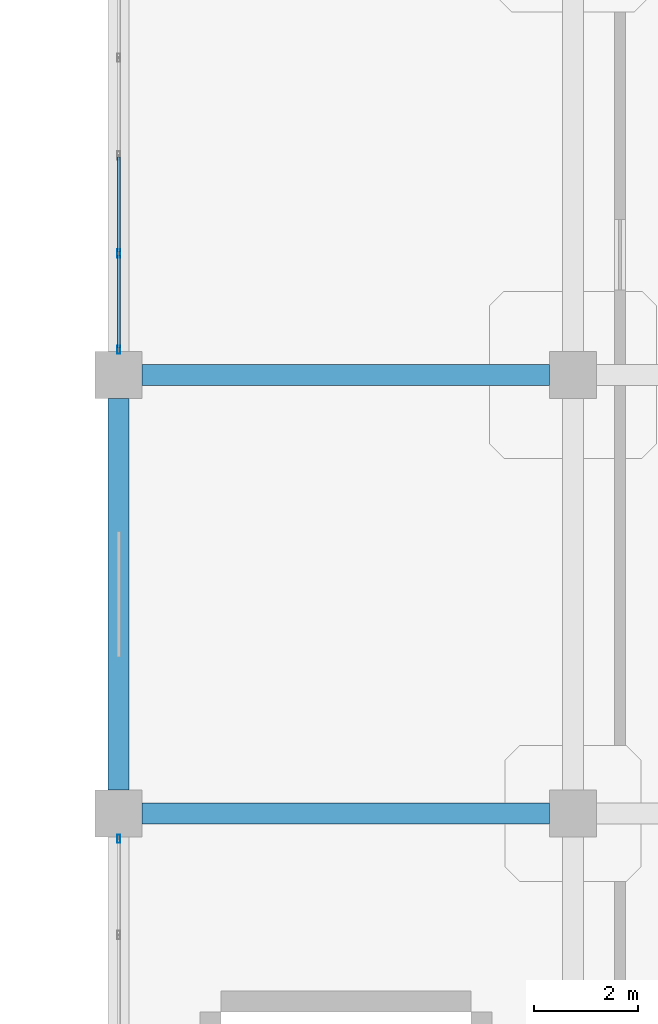
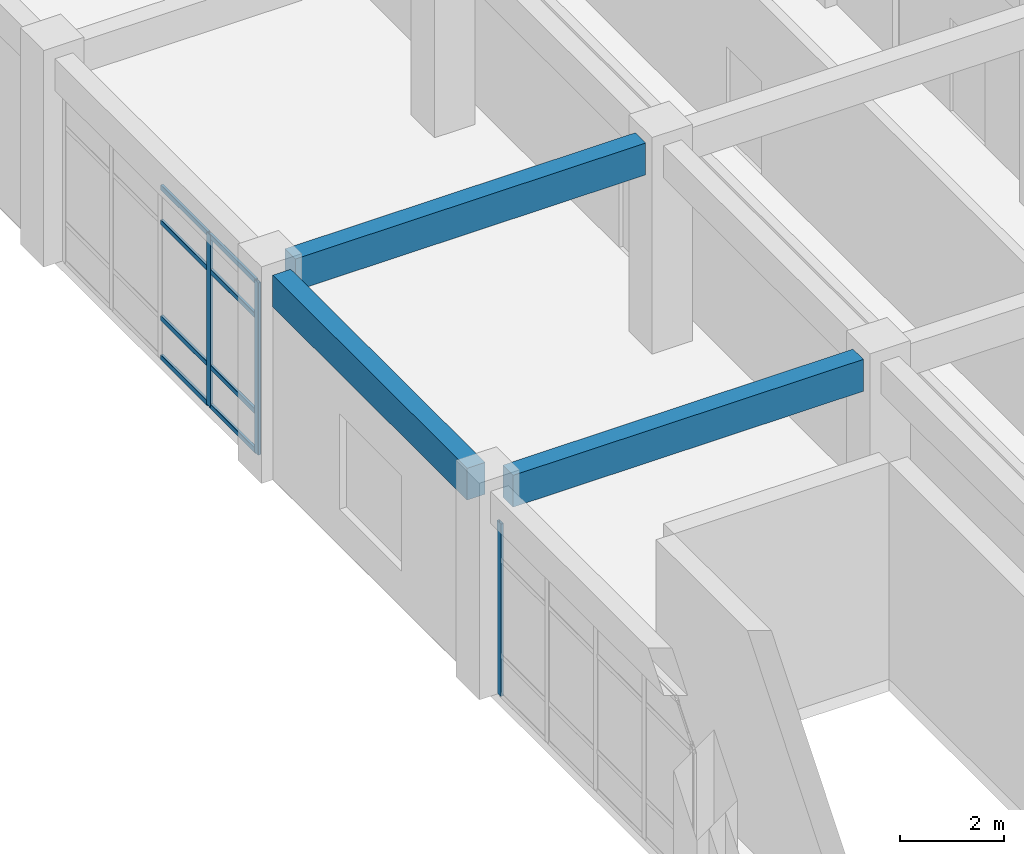
# One storey, part 33 of 120: 11 members, 3 beams, 2 elements without a shape of their own.
"""IFC4 building model written with IfcOpenShell, lengths in metres."""

from ifc_helpers import new_model, si_unit, derived_unit, direction, frame, origin, origin_2d, place, context, subcontext, project, spatial, rectangle, hollow_rectangle, extrude, material, layer, layer_set, material_profile, profile_set, type_object, element, aggregate, save


model = new_model("IFC4")

# Units and contexts
model_context = context("Model", 3, precision=1e-05, world=origin(), true_north=direction((0.0, 1.0)))
body_context = subcontext(model_context, "Body", "Model", "MODEL_VIEW")
ifc_project = project(units=[si_unit("LENGTHUNIT", "METRE"), si_unit("AREAUNIT", "SQUARE_METRE"), si_unit("VOLUMEUNIT", "CUBIC_METRE"), si_unit("PLANEANGLEUNIT", "RADIAN"), si_unit("MASSUNIT", "GRAM", prefix="KILO"), derived_unit("THERMALTRANSMITTANCEUNIT", [(si_unit("MASSUNIT", "GRAM", prefix="KILO"), 1), (si_unit("TIMEUNIT", "SECOND"), -3), (si_unit("THERMODYNAMICTEMPERATUREUNIT", "KELVIN"), -1)])], contexts=[model_context])

# Site, building, storey
site_placement = place(None, origin())
site = spatial("IfcSite", under=ifc_project, at=site_placement, CompositionType="ELEMENT")
building_placement = place(site_placement, origin())
building = spatial("IfcBuilding", under=site, at=building_placement, Name="Qinzheling Arcade Emporium", CompositionType="ELEMENT")
storey_placement = place(building_placement, frame((0.0, 0.0, 11.39990234375)))
storey = spatial("IfcBuildingStorey", under=building, at=storey_placement, Name="L03", CompositionType="ELEMENT", Elevation=11.39990234375)

# Curtain wall, member
ifc_material_1 = material(Name="Anodised aluminium and solar-control double glazing", Category="aluminium")
ifc_layer = layer(ifc_material_1, 0.159912109375, Name="Anodised aluminium and solar-control double glazing", Category="aluminium")
ifc_layer_set = layer_set([ifc_layer], Name="Anodised aluminium and solar-control double glazing")
curtain_wall_type = type_object("IfcCurtainWallType", Name="Arcade Portal Glazed Curtain Wall", PredefinedType="NOTDEFINED", material=ifc_layer_set)
curtain_wall_1_placement = place(storey_placement, origin())
curtain_wall_1 = element("IfcCurtainWall", 1, at=curtain_wall_1_placement, inside=storey, type_object=curtain_wall_type, Name="Curtain Wall CW-L03-140", PredefinedType="NOTDEFINED")
ifc_material_2 = material(Name="Anodised aluminium 6063-T6", Category="aluminium")
ifc_material_profile_1 = material_profile(ifc_material_2, hollow_rectangle(XDim=0.06005859375, YDim=0.159912109375, WallThickness=0.00390625, InnerFilletRadius=0.00390625, OuterFilletRadius=0.008056640625, at=origin_2d()), Name="RHS 160x60x4", Category="aluminium")
ifc_profile_set_1 = profile_set([ifc_material_profile_1], Name="Anodised aluminium 6063-T6")
member_type_1 = type_object("IfcMemberType", Name="Curtain Wall Mullion RHS160x60", PredefinedType="MULLION", material=ifc_profile_set_1)
member_1_placement = place(storey_placement, frame((104.39990234375, 16.318115234375, 0.0), z_axis=(0.0, 0.0, 1.0), x_axis=(-1.0, 0.0, 0.0)))
member_1 = element("IfcMember", 2, at=member_1_placement, type_object=member_type_1, Name="CW05 mullion 5", PredefinedType="MULLION", context=body_context, shape_type="SweptSolid", body=[
    extrude(hollow_rectangle(XDim=0.06005859375, YDim=0.159912109375, WallThickness=0.00390625, InnerFilletRadius=0.00390625, OuterFilletRadius=0.008056640625, at=origin_2d()), origin(), (0.0, 0.0, 1.0), 4.05517578125),
])
aggregate(curtain_wall_1, [member_1])

# Curtain wall, members
curtain_wall_2_placement = place(storey_placement, origin())
curtain_wall_2 = element("IfcCurtainWall", 3, at=curtain_wall_2_placement, inside=storey, type_object=curtain_wall_type, Name="Curtain Wall CW-L03-141", PredefinedType="NOTDEFINED")
member_2_placement = place(storey_placement, frame((104.39990234375, 25.681884765625, 0.0), z_axis=(0.0, 0.0, 1.0), x_axis=(-1.0, 0.0, 0.0)))
member_2 = element("IfcMember", 4, at=member_2_placement, type_object=member_type_1, Name="CW05 mullion 1", PredefinedType="MULLION", context=body_context, shape_type="SweptSolid", body=[
    extrude(hollow_rectangle(XDim=0.06005859375, YDim=0.159912109375, WallThickness=0.00390625, InnerFilletRadius=0.00390625, OuterFilletRadius=0.008056640625, at=origin_2d()), origin(), (0.0, 0.0, 1.0), 4.05517578125),
])
member_3_placement = place(storey_placement, frame((104.39990234375, 27.52587890625, 0.0), z_axis=(0.0, 0.0, 1.0), x_axis=(-1.0, 0.0, 0.0)))
member_3 = element("IfcMember", 5, at=member_3_placement, type_object=member_type_1, Name="CW05 mullion 2", PredefinedType="MULLION", context=body_context, shape_type="SweptSolid", body=[
    extrude(hollow_rectangle(XDim=0.06005859375, YDim=0.159912109375, WallThickness=0.00390625, InnerFilletRadius=0.00390625, OuterFilletRadius=0.008056640625, at=origin_2d()), origin(), (0.0, 0.0, 1.0), 4.05517578125),
])
ifc_material_profile_2 = material_profile(ifc_material_2, hollow_rectangle(XDim=0.06005859375, YDim=0.1201171875, WallThickness=0.00390625, InnerFilletRadius=0.00390625, OuterFilletRadius=0.008056640625, at=origin_2d()), Name="RHS 120x60x4", Category="aluminium")
ifc_profile_set_2 = profile_set([ifc_material_profile_2], Name="Anodised aluminium 6063-T6")
member_type_2 = type_object("IfcMemberType", Name="Curtain Wall Transom RHS120x60", PredefinedType="USERDEFINED", material=ifc_profile_set_2)
member_4_placement = place(storey_placement, frame((104.39990234375, 25.7119140625, 0.030029296875), z_axis=(0.0, 1.0, 0.0), x_axis=(-1.0, 0.0, 0.0)))
member_4 = element("IfcMember", 6, at=member_4_placement, type_object=member_type_2, Name="CW05 transom 1.1", ObjectType="TRANSOM", PredefinedType="USERDEFINED", context=body_context, shape_type="SweptSolid", body=[
    extrude(hollow_rectangle(XDim=0.06005859375, YDim=0.1201171875, WallThickness=0.00390625, InnerFilletRadius=0.00390625, OuterFilletRadius=0.008056640625, at=origin_2d()), origin(), (0.0, 0.0, 1.0), 1.7841796875),
])
member_5_placement = place(storey_placement, frame((104.39990234375, 25.7119140625, 0.9501953125), z_axis=(0.0, 1.0, 0.0), x_axis=(-1.0, 0.0, 0.0)))
member_5 = element("IfcMember", 7, at=member_5_placement, type_object=member_type_2, Name="CW05 transom 1.2", ObjectType="TRANSOM", PredefinedType="USERDEFINED", context=body_context, shape_type="SweptSolid", body=[
    extrude(hollow_rectangle(XDim=0.06005859375, YDim=0.1201171875, WallThickness=0.00390625, InnerFilletRadius=0.00390625, OuterFilletRadius=0.008056640625, at=origin_2d()), origin(), (0.0, 0.0, 1.0), 1.7841796875),
])
member_6_placement = place(storey_placement, frame((104.39990234375, 25.7119140625, 3.205078125), z_axis=(0.0, 1.0, 0.0), x_axis=(-1.0, 0.0, 0.0)))
member_6 = element("IfcMember", 8, at=member_6_placement, type_object=member_type_2, Name="CW05 transom 1.3", ObjectType="TRANSOM", PredefinedType="USERDEFINED", context=body_context, shape_type="SweptSolid", body=[
    extrude(hollow_rectangle(XDim=0.06005859375, YDim=0.1201171875, WallThickness=0.00390625, InnerFilletRadius=0.00390625, OuterFilletRadius=0.008056640625, at=origin_2d()), origin(), (0.0, 0.0, 1.0), 1.7841796875),
])
member_7_placement = place(storey_placement, frame((104.39990234375, 25.7119140625, 4.025146484375), z_axis=(0.0, 1.0, 0.0), x_axis=(-1.0, 0.0, 0.0)))
member_7 = element("IfcMember", 9, at=member_7_placement, type_object=member_type_2, Name="CW05 transom 1.4", ObjectType="TRANSOM", PredefinedType="USERDEFINED", context=body_context, shape_type="SweptSolid", body=[
    extrude(hollow_rectangle(XDim=0.06005859375, YDim=0.1201171875, WallThickness=0.00390625, InnerFilletRadius=0.00390625, OuterFilletRadius=0.008056640625, at=origin_2d()), origin(), (0.0, 0.0, 1.0), 1.7841796875),
])
member_8_placement = place(storey_placement, frame((104.39990234375, 27.555908203125, 0.030029296875), z_axis=(0.0, 1.0, 0.0), x_axis=(-1.0, 0.0, 0.0)))
member_8 = element("IfcMember", 10, at=member_8_placement, type_object=member_type_2, Name="CW05 transom 2.1", ObjectType="TRANSOM", PredefinedType="USERDEFINED", context=body_context, shape_type="SweptSolid", body=[
    extrude(hollow_rectangle(XDim=0.06005859375, YDim=0.1201171875, WallThickness=0.00390625, InnerFilletRadius=0.00390625, OuterFilletRadius=0.008056640625, at=origin_2d()), origin(), (0.0, 0.0, 1.0), 1.814208984375),
])
member_9_placement = place(storey_placement, frame((104.39990234375, 27.555908203125, 0.9501953125), z_axis=(0.0, 1.0, 0.0), x_axis=(-1.0, 0.0, 0.0)))
member_9 = element("IfcMember", 11, at=member_9_placement, type_object=member_type_2, Name="CW05 transom 2.2", ObjectType="TRANSOM", PredefinedType="USERDEFINED", context=body_context, shape_type="SweptSolid", body=[
    extrude(hollow_rectangle(XDim=0.06005859375, YDim=0.1201171875, WallThickness=0.00390625, InnerFilletRadius=0.00390625, OuterFilletRadius=0.008056640625, at=origin_2d()), origin(), (0.0, 0.0, 1.0), 1.814208984375),
])
member_10_placement = place(storey_placement, frame((104.39990234375, 27.555908203125, 3.205078125), z_axis=(0.0, 1.0, 0.0), x_axis=(-1.0, 0.0, 0.0)))
member_10 = element("IfcMember", 12, at=member_10_placement, type_object=member_type_2, Name="CW05 transom 2.3", ObjectType="TRANSOM", PredefinedType="USERDEFINED", context=body_context, shape_type="SweptSolid", body=[
    extrude(hollow_rectangle(XDim=0.06005859375, YDim=0.1201171875, WallThickness=0.00390625, InnerFilletRadius=0.00390625, OuterFilletRadius=0.008056640625, at=origin_2d()), origin(), (0.0, 0.0, 1.0), 1.814208984375),
])
member_11_placement = place(storey_placement, frame((104.39990234375, 27.555908203125, 4.025146484375), z_axis=(0.0, 1.0, 0.0), x_axis=(-1.0, 0.0, 0.0)))
member_11 = element("IfcMember", 13, at=member_11_placement, type_object=member_type_2, Name="CW05 transom 2.4", ObjectType="TRANSOM", PredefinedType="USERDEFINED", context=body_context, shape_type="SweptSolid", body=[
    extrude(hollow_rectangle(XDim=0.06005859375, YDim=0.1201171875, WallThickness=0.00390625, InnerFilletRadius=0.00390625, OuterFilletRadius=0.008056640625, at=origin_2d()), origin(), (0.0, 0.0, 1.0), 1.814208984375),
])
aggregate(curtain_wall_2, [member_2, member_3, member_4, member_5, member_6, member_7, member_8, member_9, member_10, member_11])

# Beams
ifc_material_3 = material(Name="Concrete C40", Category="concrete")
ifc_material_profile_3 = material_profile(ifc_material_3, rectangle(XDim=0.39990234375, YDim=0.75, at=origin_2d()), Name="RC 400x750", Category="concrete")
ifc_profile_set_3 = profile_set([ifc_material_profile_3], Name="Concrete C40")
beam_type = type_object("IfcBeamType", Name="RC Interior Tie Beam 400x750 C40", PredefinedType="BEAM", material=ifc_profile_set_3)
for number, where, z_axis, x_axis, name in (
    (14, (104.85009765625, 16.800048828125, 4.445068359375), (1.0, 0.0, 0.0), (0.0, 1.0, 0.0), "Beam BM-L03-X-C-13"),
    (15, (104.85009765625, 25.199951171875, 4.445068359375), (1.0, 0.0, 0.0), (0.0, 1.0, 0.0), "Beam BM-L03-X-D-13"),
):
    element("IfcBeam", number, at=place(storey_placement, frame(where, z_axis=z_axis, x_axis=x_axis)), inside=storey, type_object=beam_type, Name=name, PredefinedType="BEAM", context=body_context, shape_type="SweptSolid", body=[
        extrude(rectangle(XDim=0.39990234375, YDim=0.75, at=origin_2d()), origin(), (0.0, 0.0, 1.0), 7.7998046875),
    ])
beam_placement = place(storey_placement, frame((104.39990234375, 17.25, 4.445068359375), z_axis=(0.0, 1.0, 0.0), x_axis=(-1.0, 0.0, 0.0)))
element("IfcBeam", 16, at=beam_placement, inside=storey, type_object=beam_type, Name="Beam BM-L03-Y-13-C", PredefinedType="BEAM", context=body_context, shape_type="SweptSolid", body=[
    extrude(rectangle(XDim=0.39990234375, YDim=0.75, at=origin_2d()), origin(), (0.0, 0.0, 1.0), 7.5),
])

save(model, "model.ifc")
